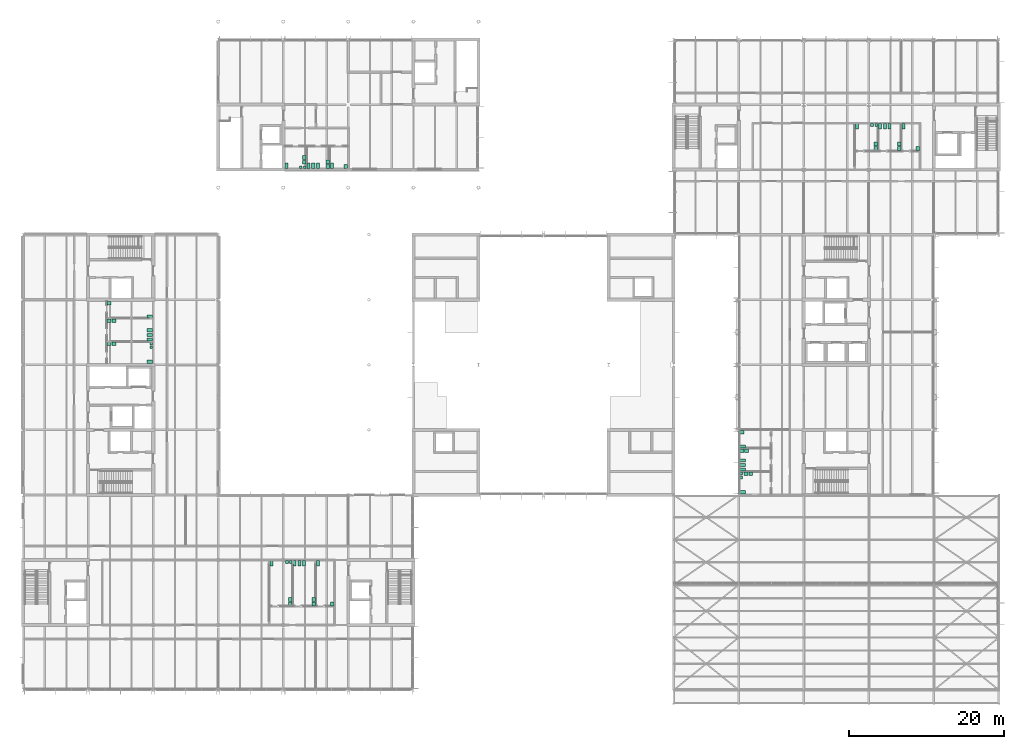
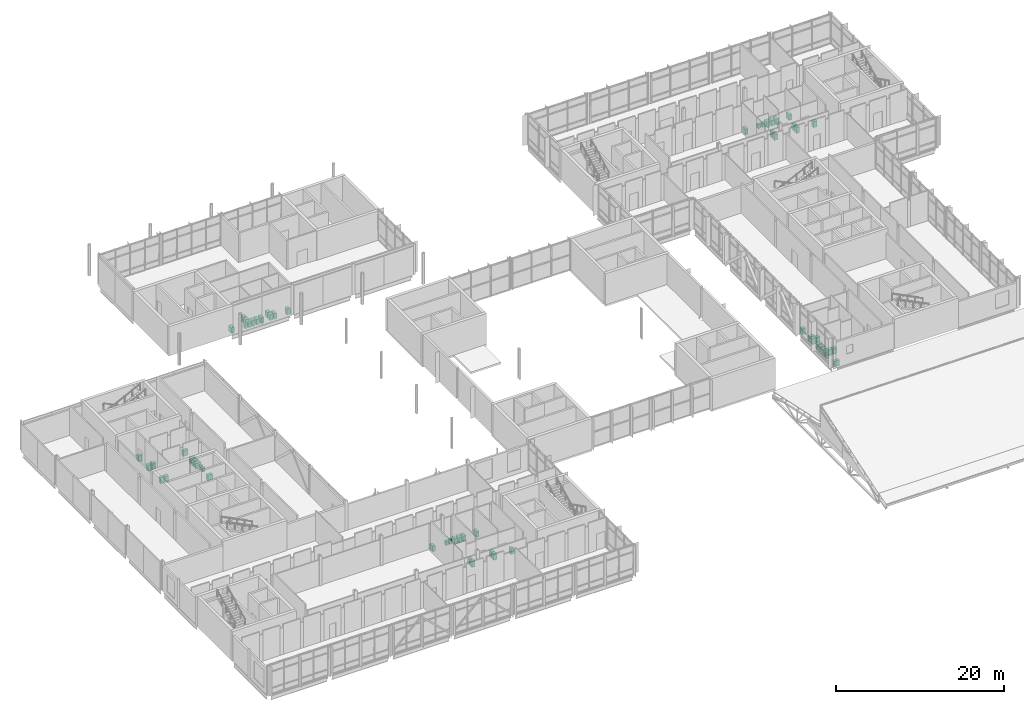
# One storey, part 89 of 89: 60 sanitary terminals.
"""IFC4 building model written with IfcOpenShell, lengths in metres."""

from ifc_helpers import new_model, si_unit, direction, frame, origin, origin_2d, place, context, subcontext, project, spatial, rectangle, extrude, element, save


model = new_model("IFC4")

# Units and contexts
model_context = context("Model", 3, precision=1e-05, world=origin(), true_north=direction((0.0, 1.0)))
body_context = subcontext(model_context, "Body", "Model", "MODEL_VIEW")
ifc_project = project(units=[si_unit("LENGTHUNIT", "METRE"), si_unit("AREAUNIT", "SQUARE_METRE"), si_unit("VOLUMEUNIT", "CUBIC_METRE"), si_unit("PLANEANGLEUNIT", "RADIAN"), si_unit("MASSUNIT", "GRAM", prefix="KILO")], contexts=[model_context])

# Site, building, storey
site_placement = place(None, origin())
site = spatial("IfcSite", under=ifc_project, at=site_placement, CompositionType="ELEMENT")
building_placement = place(site_placement, origin())
building = spatial("IfcBuilding", under=site, at=building_placement, Name="Hlaing Beacon Police Headquarters", CompositionType="ELEMENT")
storey_placement = place(building_placement, frame((0.0, 0.0, 9.89990234375)))
storey = spatial("IfcBuildingStorey", under=building, at=storey_placement, Name="L02", CompositionType="ELEMENT", Elevation=9.89990234375)

# Sanitary terminals
sanitary_terminal_1_placement = place(storey_placement, frame((48.262939453125, 76.10009765625, 0.0), z_axis=(0.0, 0.0, 1.0), x_axis=(1.0, 0.0, 0.0)))
element("IfcSanitaryTerminal", 1, at=sanitary_terminal_1_placement, inside=storey, Name="Water closet", PredefinedType="TOILETPAN", context=body_context, shape_type="SweptSolid", body=[
    extrude(rectangle(XDim=0.39990234375, YDim=0.699951171875, at=origin_2d()), origin(), (0.0, 0.0, 1.0), 0.800048828125),
])
sanitary_terminal_2_placement = place(storey_placement, frame((50.074951171875, 76.0, 0.0), z_axis=(0.0, 0.0, 1.0), x_axis=(1.0, 0.0, 0.0)))
element("IfcSanitaryTerminal", 2, at=sanitary_terminal_2_placement, inside=storey, Name="Wash basin", PredefinedType="WASHHANDBASIN", context=body_context, shape_type="SweptSolid", body=[
    extrude(rectangle(XDim=0.449951171875, YDim=0.5, at=origin_2d()), origin(), (0.0, 0.0, 1.0), 0.85009765625),
])
for number, where, z_axis, x_axis, name in (
    (3, (45.261962890625, 76.10009765625, 0.0), (0.0, 0.0, 1.0), (1.0, 0.0, 0.0), "Water closet"),
    (4, (45.863037109375, 76.10009765625, 0.0), (0.0, 0.0, 1.0), (1.0, 0.0, 0.0), "Water closet"),
    (5, (46.4619140625, 76.10009765625, 0.0), (0.0, 0.0, 1.0), (1.0, 0.0, 0.0), "Water closet"),
):
    element("IfcSanitaryTerminal", number, at=place(storey_placement, frame(where, z_axis=z_axis, x_axis=x_axis)), inside=storey, Name=name, PredefinedType="TOILETPAN", context=body_context, shape_type="SweptSolid", body=[
        extrude(rectangle(XDim=0.39990234375, YDim=0.699951171875, at=origin_2d()), origin(), (0.0, 0.0, 1.0), 0.800048828125),
    ])
for number, where, z_axis, x_axis, name in (
    (6, (47.712890625, 76.0, 0.0), (0.0, 0.0, 1.0), (1.0, 0.0, 0.0), "Wash basin"),
    (7, (47.712890625, 76.60009765625, 0.0), (0.0, 0.0, 1.0), (1.0, 0.0, 0.0), "Wash basin"),
):
    element("IfcSanitaryTerminal", number, at=place(storey_placement, frame(where, z_axis=z_axis, x_axis=x_axis)), inside=storey, Name=name, PredefinedType="WASHHANDBASIN", context=body_context, shape_type="SweptSolid", body=[
        extrude(rectangle(XDim=0.449951171875, YDim=0.5, at=origin_2d()), origin(), (0.0, 0.0, 1.0), 0.85009765625),
    ])
sanitary_terminal_3_placement = place(storey_placement, frame((42.39990234375, 76.10009765625, 0.0), z_axis=(0.0, 0.0, 1.0), x_axis=(1.0, 0.0, 0.0)))
element("IfcSanitaryTerminal", 8, at=sanitary_terminal_3_placement, inside=storey, Name="Water closet", PredefinedType="TOILETPAN", context=body_context, shape_type="SweptSolid", body=[
    extrude(rectangle(XDim=0.39990234375, YDim=0.699951171875, at=origin_2d()), origin(), (0.0, 0.0, 1.0), 0.800048828125),
])
for number, where, z_axis, x_axis, name in (
    (9, (44.761962890625, 75.925048828125, 0.0), (0.0, 0.0, 1.0), (1.0, 0.0, 0.0), "Urinal"),
    (10, (44.262939453125, 75.925048828125, 0.0), (0.0, 0.0, 1.0), (1.0, 0.0, 0.0), "Urinal"),
):
    element("IfcSanitaryTerminal", number, at=place(storey_placement, frame(where, z_axis=z_axis, x_axis=x_axis)), inside=storey, Name=name, PredefinedType="URINAL", context=body_context, shape_type="SweptSolid", body=[
        extrude(rectangle(XDim=0.35009765625, YDim=0.35009765625, at=origin_2d()), origin(), (0.0, 0.0, 1.0), 0.60009765625),
    ])
for number, where, z_axis, x_axis, name in (
    (11, (44.712890625, 76.550048828125, 0.0), (0.0, 0.0, 1.0), (1.0, 0.0, 0.0), "Wash basin"),
    (12, (44.712890625, 77.14990234375, 0.0), (0.0, 0.0, 1.0), (1.0, 0.0, 0.0), "Wash basin"),
):
    element("IfcSanitaryTerminal", number, at=place(storey_placement, frame(where, z_axis=z_axis, x_axis=x_axis)), inside=storey, Name=name, PredefinedType="WASHHANDBASIN", context=body_context, shape_type="SweptSolid", body=[
        extrude(rectangle(XDim=0.449951171875, YDim=0.5, at=origin_2d()), origin(), (0.0, 0.0, 1.0), 0.85009765625),
    ])
sanitary_terminal_4_placement = place(storey_placement, frame((46.462890625, 24.77490234375, 0.0), z_axis=(0.0, 0.0, 1.0), x_axis=(1.0, 0.0, 0.0)))
element("IfcSanitaryTerminal", 13, at=sanitary_terminal_4_placement, inside=storey, Name="Water closet", PredefinedType="TOILETPAN", context=body_context, shape_type="SweptSolid", body=[
    extrude(rectangle(XDim=0.39990234375, YDim=0.699951171875, at=origin_2d()), origin(), (0.0, 0.0, 1.0), 0.800048828125),
])
sanitary_terminal_5_placement = place(storey_placement, frame((48.300048828125, 19.511962890625, 0.0), z_axis=(0.0, 0.0, 1.0), x_axis=(1.0, 0.0, 0.0)))
element("IfcSanitaryTerminal", 14, at=sanitary_terminal_5_placement, inside=storey, Name="Wash basin", PredefinedType="WASHHANDBASIN", context=body_context, shape_type="SweptSolid", body=[
    extrude(rectangle(XDim=0.449951171875, YDim=0.5, at=origin_2d()), origin(), (0.0, 0.0, 1.0), 0.85009765625),
])
for number, where, z_axis, x_axis, name in (
    (15, (43.462890625, 24.77490234375, 0.0), (0.0, 0.0, 1.0), (1.0, 0.0, 0.0), "Water closet"),
    (16, (44.06201171875, 24.77490234375, 0.0), (0.0, 0.0, 1.0), (1.0, 0.0, 0.0), "Water closet"),
    (17, (44.6630859375, 24.77490234375, 0.0), (0.0, 0.0, 1.0), (1.0, 0.0, 0.0), "Water closet"),
):
    element("IfcSanitaryTerminal", number, at=place(storey_placement, frame(where, z_axis=z_axis, x_axis=x_axis)), inside=storey, Name=name, PredefinedType="TOILETPAN", context=body_context, shape_type="SweptSolid", body=[
        extrude(rectangle(XDim=0.39990234375, YDim=0.699951171875, at=origin_2d()), origin(), (0.0, 0.0, 1.0), 0.800048828125),
    ])
for number, where, z_axis, x_axis, name in (
    (18, (45.912109375, 19.511962890625, 0.0), (0.0, 0.0, 1.0), (1.0, 0.0, 0.0), "Wash basin"),
    (19, (45.912109375, 20.113037109375, 0.0), (0.0, 0.0, 1.0), (1.0, 0.0, 0.0), "Wash basin"),
):
    element("IfcSanitaryTerminal", number, at=place(storey_placement, frame(where, z_axis=z_axis, x_axis=x_axis)), inside=storey, Name=name, PredefinedType="WASHHANDBASIN", context=body_context, shape_type="SweptSolid", body=[
        extrude(rectangle(XDim=0.449951171875, YDim=0.5, at=origin_2d()), origin(), (0.0, 0.0, 1.0), 0.85009765625),
    ])
sanitary_terminal_6_placement = place(storey_placement, frame((40.462890625, 24.77490234375, 0.0), z_axis=(0.0, 0.0, 1.0), x_axis=(1.0, 0.0, 0.0)))
element("IfcSanitaryTerminal", 20, at=sanitary_terminal_6_placement, inside=storey, Name="Water closet", PredefinedType="TOILETPAN", context=body_context, shape_type="SweptSolid", body=[
    extrude(rectangle(XDim=0.39990234375, YDim=0.699951171875, at=origin_2d()), origin(), (0.0, 0.0, 1.0), 0.800048828125),
])
for number, where, z_axis, x_axis, name in (
    (21, (42.962890625, 24.949951171875, 0.0), (0.0, 0.0, 1.0), (1.0, 0.0, 0.0), "Urinal"),
    (22, (42.462890625, 24.949951171875, 0.0), (0.0, 0.0, 1.0), (1.0, 0.0, 0.0), "Urinal"),
):
    element("IfcSanitaryTerminal", number, at=place(storey_placement, frame(where, z_axis=z_axis, x_axis=x_axis)), inside=storey, Name=name, PredefinedType="URINAL", context=body_context, shape_type="SweptSolid", body=[
        extrude(rectangle(XDim=0.35009765625, YDim=0.35009765625, at=origin_2d()), origin(), (0.0, 0.0, 1.0), 0.60009765625),
    ])
for number, where, z_axis, x_axis, name in (
    (23, (42.912109375, 19.511962890625, 0.0), (0.0, 0.0, 1.0), (1.0, 0.0, 0.0), "Wash basin"),
    (24, (42.912109375, 20.113037109375, 0.0), (0.0, 0.0, 1.0), (1.0, 0.0, 0.0), "Wash basin"),
):
    element("IfcSanitaryTerminal", number, at=place(storey_placement, frame(where, z_axis=z_axis, x_axis=x_axis)), inside=storey, Name=name, PredefinedType="WASHHANDBASIN", context=body_context, shape_type="SweptSolid", body=[
        extrude(rectangle(XDim=0.449951171875, YDim=0.5, at=origin_2d()), origin(), (0.0, 0.0, 1.0), 0.85009765625),
    ])
sanitary_terminal_7_placement = place(storey_placement, frame((101.300048828125, 39.863037109375, 0.0), z_axis=(0.0, 0.0, 1.0), x_axis=(1.0, 0.0, 0.0)))
element("IfcSanitaryTerminal", 25, at=sanitary_terminal_7_placement, inside=storey, Name="Water closet", PredefinedType="TOILETPAN", context=body_context, shape_type="SweptSolid", body=[
    extrude(rectangle(XDim=0.699951171875, YDim=0.39990234375, at=origin_2d()), origin(), (0.0, 0.0, 1.0), 0.800048828125),
])
sanitary_terminal_8_placement = place(storey_placement, frame((101.199951171875, 41.712890625, 0.0), z_axis=(0.0, 0.0, 1.0), x_axis=(1.0, 0.0, 0.0)))
element("IfcSanitaryTerminal", 26, at=sanitary_terminal_8_placement, inside=storey, Name="Wash basin", PredefinedType="WASHHANDBASIN", context=body_context, shape_type="SweptSolid", body=[
    extrude(rectangle(XDim=0.5, YDim=0.449951171875, at=origin_2d()), origin(), (0.0, 0.0, 1.0), 0.85009765625),
])
for number, where, z_axis, x_axis, name in (
    (27, (101.300048828125, 36.863037109375, 0.0), (0.0, 0.0, 1.0), (1.0, 0.0, 0.0), "Water closet"),
    (28, (101.300048828125, 37.462890625, 0.0), (0.0, 0.0, 1.0), (1.0, 0.0, 0.0), "Water closet"),
    (29, (101.300048828125, 38.06201171875, 0.0), (0.0, 0.0, 1.0), (1.0, 0.0, 0.0), "Water closet"),
):
    element("IfcSanitaryTerminal", number, at=place(storey_placement, frame(where, z_axis=z_axis, x_axis=x_axis)), inside=storey, Name=name, PredefinedType="TOILETPAN", context=body_context, shape_type="SweptSolid", body=[
        extrude(rectangle(XDim=0.699951171875, YDim=0.39990234375, at=origin_2d()), origin(), (0.0, 0.0, 1.0), 0.800048828125),
    ])
for number, where, z_axis, x_axis, name in (
    (30, (101.199951171875, 39.31201171875, 0.0), (0.0, 0.0, 1.0), (1.0, 0.0, 0.0), "Wash basin"),
    (31, (101.800048828125, 39.31201171875, 0.0), (0.0, 0.0, 1.0), (1.0, 0.0, 0.0), "Wash basin"),
):
    element("IfcSanitaryTerminal", number, at=place(storey_placement, frame(where, z_axis=z_axis, x_axis=x_axis)), inside=storey, Name=name, PredefinedType="WASHHANDBASIN", context=body_context, shape_type="SweptSolid", body=[
        extrude(rectangle(XDim=0.5, YDim=0.449951171875, at=origin_2d()), origin(), (0.0, 0.0, 1.0), 0.85009765625),
    ])
sanitary_terminal_9_placement = place(storey_placement, frame((101.300048828125, 33.949951171875, 0.0), z_axis=(0.0, 0.0, 1.0), x_axis=(1.0, 0.0, 0.0)))
element("IfcSanitaryTerminal", 32, at=sanitary_terminal_9_placement, inside=storey, Name="Water closet", PredefinedType="TOILETPAN", context=body_context, shape_type="SweptSolid", body=[
    extrude(rectangle(XDim=0.699951171875, YDim=0.39990234375, at=origin_2d()), origin(), (0.0, 0.0, 1.0), 0.800048828125),
])
for number, where, z_axis, x_axis, name in (
    (33, (101.125, 36.363037109375, 0.0), (0.0, 0.0, 1.0), (1.0, 0.0, 0.0), "Urinal"),
    (34, (101.125, 35.863037109375, 0.0), (0.0, 0.0, 1.0), (1.0, 0.0, 0.0), "Urinal"),
):
    element("IfcSanitaryTerminal", number, at=place(storey_placement, frame(where, z_axis=z_axis, x_axis=x_axis)), inside=storey, Name=name, PredefinedType="URINAL", context=body_context, shape_type="SweptSolid", body=[
        extrude(rectangle(XDim=0.35009765625, YDim=0.35009765625, at=origin_2d()), origin(), (0.0, 0.0, 1.0), 0.60009765625),
    ])
for number, where, z_axis, x_axis, name in (
    (35, (101.75, 36.31201171875, 0.0), (0.0, 0.0, 1.0), (1.0, 0.0, 0.0), "Wash basin"),
    (36, (102.35009765625, 36.31201171875, 0.0), (0.0, 0.0, 1.0), (1.0, 0.0, 0.0), "Wash basin"),
):
    element("IfcSanitaryTerminal", number, at=place(storey_placement, frame(where, z_axis=z_axis, x_axis=x_axis)), inside=storey, Name=name, PredefinedType="WASHHANDBASIN", context=body_context, shape_type="SweptSolid", body=[
        extrude(rectangle(XDim=0.5, YDim=0.449951171875, at=origin_2d()), origin(), (0.0, 0.0, 1.0), 0.85009765625),
    ])
sanitary_terminal_10_placement = place(storey_placement, frame((24.77490234375, 56.6630859375, 0.0), z_axis=(0.0, 0.0, 1.0), x_axis=(1.0, 0.0, 0.0)))
element("IfcSanitaryTerminal", 37, at=sanitary_terminal_10_placement, inside=storey, Name="Water closet", PredefinedType="TOILETPAN", context=body_context, shape_type="SweptSolid", body=[
    extrude(rectangle(XDim=0.699951171875, YDim=0.39990234375, at=origin_2d()), origin(), (0.0, 0.0, 1.0), 0.800048828125),
])
sanitary_terminal_11_placement = place(storey_placement, frame((19.511962890625, 58.375, 0.0), z_axis=(0.0, 0.0, 1.0), x_axis=(1.0, 0.0, 0.0)))
element("IfcSanitaryTerminal", 38, at=sanitary_terminal_11_placement, inside=storey, Name="Wash basin", PredefinedType="WASHHANDBASIN", context=body_context, shape_type="SweptSolid", body=[
    extrude(rectangle(XDim=0.5, YDim=0.449951171875, at=origin_2d()), origin(), (0.0, 0.0, 1.0), 0.85009765625),
])
for number, where, z_axis, x_axis, name in (
    (39, (24.77490234375, 53.6630859375, 0.0), (0.0, 0.0, 1.0), (1.0, 0.0, 0.0), "Water closet"),
    (40, (24.77490234375, 54.261962890625, 0.0), (0.0, 0.0, 1.0), (1.0, 0.0, 0.0), "Water closet"),
    (41, (24.77490234375, 54.863037109375, 0.0), (0.0, 0.0, 1.0), (1.0, 0.0, 0.0), "Water closet"),
):
    element("IfcSanitaryTerminal", number, at=place(storey_placement, frame(where, z_axis=z_axis, x_axis=x_axis)), inside=storey, Name=name, PredefinedType="TOILETPAN", context=body_context, shape_type="SweptSolid", body=[
        extrude(rectangle(XDim=0.699951171875, YDim=0.39990234375, at=origin_2d()), origin(), (0.0, 0.0, 1.0), 0.800048828125),
    ])
for number, where, z_axis, x_axis, name in (
    (42, (19.511962890625, 56.112060546875, 0.0), (0.0, 0.0, 1.0), (1.0, 0.0, 0.0), "Wash basin"),
    (43, (20.113037109375, 56.112060546875, 0.0), (0.0, 0.0, 1.0), (1.0, 0.0, 0.0), "Wash basin"),
):
    element("IfcSanitaryTerminal", number, at=place(storey_placement, frame(where, z_axis=z_axis, x_axis=x_axis)), inside=storey, Name=name, PredefinedType="WASHHANDBASIN", context=body_context, shape_type="SweptSolid", body=[
        extrude(rectangle(XDim=0.5, YDim=0.449951171875, at=origin_2d()), origin(), (0.0, 0.0, 1.0), 0.85009765625),
    ])
sanitary_terminal_12_placement = place(storey_placement, frame((24.77490234375, 50.800048828125, 0.0), z_axis=(0.0, 0.0, 1.0), x_axis=(1.0, 0.0, 0.0)))
element("IfcSanitaryTerminal", 44, at=sanitary_terminal_12_placement, inside=storey, Name="Water closet", PredefinedType="TOILETPAN", context=body_context, shape_type="SweptSolid", body=[
    extrude(rectangle(XDim=0.699951171875, YDim=0.39990234375, at=origin_2d()), origin(), (0.0, 0.0, 1.0), 0.800048828125),
])
for number, where, z_axis, x_axis, name in (
    (45, (24.949951171875, 53.162109375, 0.0), (0.0, 0.0, 1.0), (1.0, 0.0, 0.0), "Urinal"),
    (46, (24.949951171875, 52.662109375, 0.0), (0.0, 0.0, 1.0), (1.0, 0.0, 0.0), "Urinal"),
):
    element("IfcSanitaryTerminal", number, at=place(storey_placement, frame(where, z_axis=z_axis, x_axis=x_axis)), inside=storey, Name=name, PredefinedType="URINAL", context=body_context, shape_type="SweptSolid", body=[
        extrude(rectangle(XDim=0.35009765625, YDim=0.35009765625, at=origin_2d()), origin(), (0.0, 0.0, 1.0), 0.60009765625),
    ])
for number, where, z_axis, x_axis, name in (
    (47, (19.511962890625, 53.112060546875, 0.0), (0.0, 0.0, 1.0), (1.0, 0.0, 0.0), "Wash basin"),
    (48, (20.113037109375, 53.112060546875, 0.0), (0.0, 0.0, 1.0), (1.0, 0.0, 0.0), "Wash basin"),
):
    element("IfcSanitaryTerminal", number, at=place(storey_placement, frame(where, z_axis=z_axis, x_axis=x_axis)), inside=storey, Name=name, PredefinedType="WASHHANDBASIN", context=body_context, shape_type="SweptSolid", body=[
        extrude(rectangle(XDim=0.5, YDim=0.449951171875, at=origin_2d()), origin(), (0.0, 0.0, 1.0), 0.85009765625),
    ])
sanitary_terminal_13_placement = place(storey_placement, frame((122.06201171875, 81.175048828125, 0.0), z_axis=(0.0, 0.0, 1.0), x_axis=(1.0, 0.0, 0.0)))
element("IfcSanitaryTerminal", 49, at=sanitary_terminal_13_placement, inside=storey, Name="Water closet", PredefinedType="TOILETPAN", context=body_context, shape_type="SweptSolid", body=[
    extrude(rectangle(XDim=0.39990234375, YDim=0.699951171875, at=origin_2d()), origin(), (0.0, 0.0, 1.0), 0.800048828125),
])
sanitary_terminal_14_placement = place(storey_placement, frame((123.89990234375, 78.31201171875, 0.0), z_axis=(0.0, 0.0, 1.0), x_axis=(1.0, 0.0, 0.0)))
element("IfcSanitaryTerminal", 50, at=sanitary_terminal_14_placement, inside=storey, Name="Wash basin", PredefinedType="WASHHANDBASIN", context=body_context, shape_type="SweptSolid", body=[
    extrude(rectangle(XDim=0.449951171875, YDim=0.5, at=origin_2d()), origin(), (0.0, 0.0, 1.0), 0.85009765625),
])
for number, where, z_axis, x_axis, name in (
    (51, (119.06201171875, 81.175048828125, 0.0), (0.0, 0.0, 1.0), (1.0, 0.0, 0.0), "Water closet"),
    (52, (119.662109375, 81.175048828125, 0.0), (0.0, 0.0, 1.0), (1.0, 0.0, 0.0), "Water closet"),
    (53, (120.261962890625, 81.175048828125, 0.0), (0.0, 0.0, 1.0), (1.0, 0.0, 0.0), "Water closet"),
):
    element("IfcSanitaryTerminal", number, at=place(storey_placement, frame(where, z_axis=z_axis, x_axis=x_axis)), inside=storey, Name=name, PredefinedType="TOILETPAN", context=body_context, shape_type="SweptSolid", body=[
        extrude(rectangle(XDim=0.39990234375, YDim=0.699951171875, at=origin_2d()), origin(), (0.0, 0.0, 1.0), 0.800048828125),
    ])
for number, where, z_axis, x_axis, name in (
    (54, (121.511962890625, 78.31201171875, 0.0), (0.0, 0.0, 1.0), (1.0, 0.0, 0.0), "Wash basin"),
    (55, (121.511962890625, 78.912109375, 0.0), (0.0, 0.0, 1.0), (1.0, 0.0, 0.0), "Wash basin"),
):
    element("IfcSanitaryTerminal", number, at=place(storey_placement, frame(where, z_axis=z_axis, x_axis=x_axis)), inside=storey, Name=name, PredefinedType="WASHHANDBASIN", context=body_context, shape_type="SweptSolid", body=[
        extrude(rectangle(XDim=0.449951171875, YDim=0.5, at=origin_2d()), origin(), (0.0, 0.0, 1.0), 0.85009765625),
    ])
sanitary_terminal_15_placement = place(storey_placement, frame((116.06201171875, 81.175048828125, 0.0), z_axis=(0.0, 0.0, 1.0), x_axis=(1.0, 0.0, 0.0)))
element("IfcSanitaryTerminal", 56, at=sanitary_terminal_15_placement, inside=storey, Name="Water closet", PredefinedType="TOILETPAN", context=body_context, shape_type="SweptSolid", body=[
    extrude(rectangle(XDim=0.39990234375, YDim=0.699951171875, at=origin_2d()), origin(), (0.0, 0.0, 1.0), 0.800048828125),
])
for number, where, z_axis, x_axis, name in (
    (57, (118.56201171875, 81.35009765625, 0.0), (0.0, 0.0, 1.0), (1.0, 0.0, 0.0), "Urinal"),
    (58, (118.011962890625, 81.35009765625, 0.0), (0.0, 0.0, 1.0), (1.0, 0.0, 0.0), "Urinal"),
):
    element("IfcSanitaryTerminal", number, at=place(storey_placement, frame(where, z_axis=z_axis, x_axis=x_axis)), inside=storey, Name=name, PredefinedType="URINAL", context=body_context, shape_type="SweptSolid", body=[
        extrude(rectangle(XDim=0.35009765625, YDim=0.35009765625, at=origin_2d()), origin(), (0.0, 0.0, 1.0), 0.60009765625),
    ])
for number, where, z_axis, x_axis, name in (
    (59, (118.512939453125, 78.31201171875, 0.0), (0.0, 0.0, 1.0), (1.0, 0.0, 0.0), "Wash basin"),
    (60, (118.512939453125, 78.912109375, 0.0), (0.0, 0.0, 1.0), (1.0, 0.0, 0.0), "Wash basin"),
):
    element("IfcSanitaryTerminal", number, at=place(storey_placement, frame(where, z_axis=z_axis, x_axis=x_axis)), inside=storey, Name=name, PredefinedType="WASHHANDBASIN", context=body_context, shape_type="SweptSolid", body=[
        extrude(rectangle(XDim=0.449951171875, YDim=0.5, at=origin_2d()), origin(), (0.0, 0.0, 1.0), 0.85009765625),
    ])

save(model, "model.ifc")
